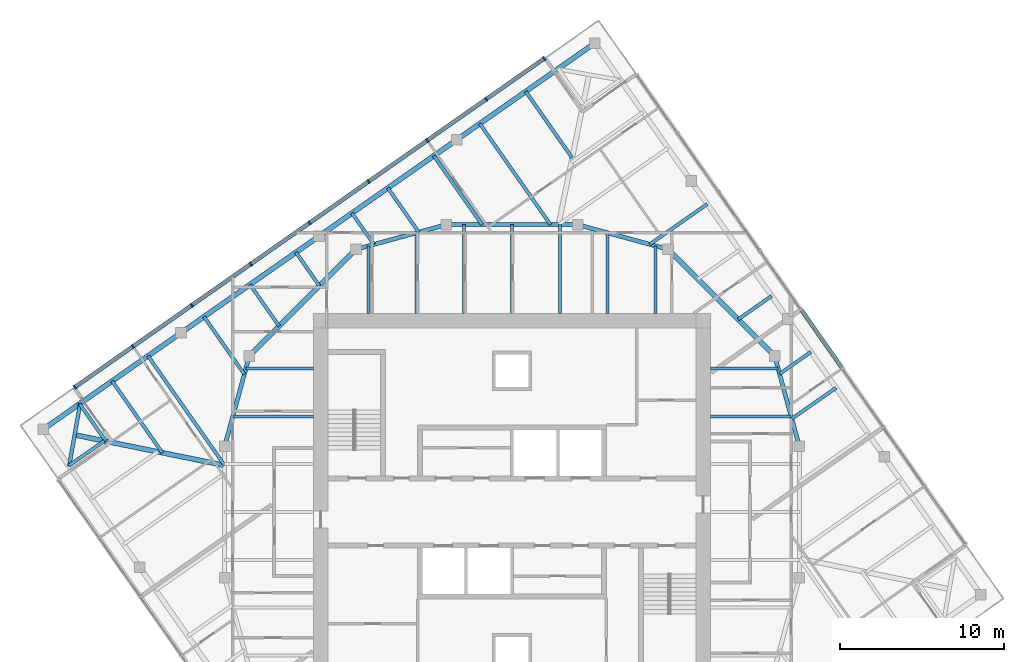
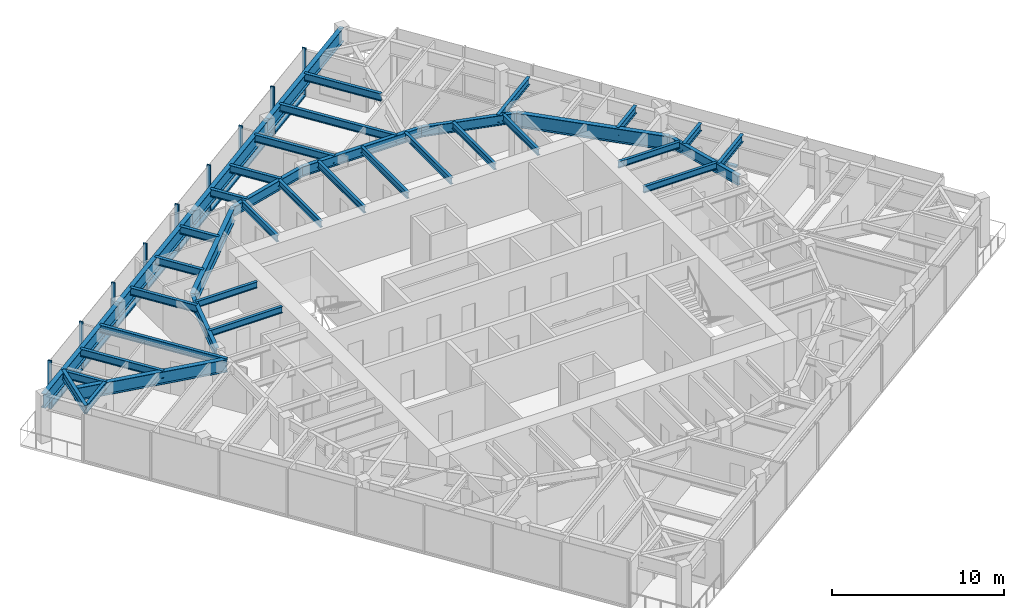
# One storey, part 4 of 12: 40 beams, 18 members, 2 elements without a shape of their own.
"""IFC4 building model written with IfcOpenShell, lengths in metres."""

from ifc_helpers import new_model, si_unit, direction, frame, origin, origin_2d, place, context, subcontext, project, spatial, rectangle, i_section, extrude, material, material_profile, profile_set, type_object, element, aggregate, save


model = new_model("IFC4")

# Units and contexts
model_context = context("Model", 3, precision=1e-05, world=origin(), true_north=direction((0.0, 1.0)))
body_context = subcontext(model_context, "Body", "Model", "MODEL_VIEW")
ifc_project = project(units=[si_unit("LENGTHUNIT", "METRE"), si_unit("AREAUNIT", "SQUARE_METRE"), si_unit("VOLUMEUNIT", "CUBIC_METRE"), si_unit("PLANEANGLEUNIT", "RADIAN"), si_unit("MASSUNIT", "GRAM", prefix="KILO")], contexts=[model_context])

# Site, building, storey
site_placement = place(None, origin())
site = spatial("IfcSite", under=ifc_project, at=site_placement, CompositionType="ELEMENT")
building_placement = place(site_placement, origin())
building = spatial("IfcBuilding", under=site, at=building_placement, Name="Torsade Residences", CompositionType="ELEMENT")
storey_placement = place(building_placement, frame((0.0, 0.0, 240.39990234375)))
storey = spatial("IfcBuildingStorey", under=building, at=storey_placement, Name="L66", CompositionType="ELEMENT", Elevation=240.39990234375)

# Beams
ifc_material_1 = material(Name="Steel grade 300", Category="steel")
ifc_material_profile_1 = material_profile(ifc_material_1, i_section(OverallWidth=0.300048828125, OverallDepth=0.89990234375, WebThickness=0.011962890625, FlangeThickness=0.02490234375, at=origin_2d()), Name="900WB175")
ifc_profile_set_1 = profile_set([ifc_material_profile_1], Name="Steel grade 300")
beam_type_1 = type_object("IfcBeamType", Name="CORNER GIRDER 900WB175", PredefinedType="BEAM", material=ifc_profile_set_1)
beam_1_placement = place(storey_placement, frame((13.364013671875, 34.696533203125, 2.800048828125), z_axis=(0.979880626756, -0.199584461589, 0.0), x_axis=(0.199584461589, 0.979880626756, 0.0)))
element("IfcBeam", 1, at=beam_1_placement, inside=storey, type_object=beam_type_1, Name="Corner girder 13 L67", PredefinedType="BEAM", context=body_context, shape_type="SweptSolid", body=[
    extrude(i_section(OverallWidth=0.300048828125, OverallDepth=0.89990234375, WebThickness=0.011962890625, FlangeThickness=0.02490234375, at=origin_2d()), origin(), (0.0, 0.0, 1.0), 9.323486328125),
])
ifc_material_2 = material(Name="Steel grade 300", Category="steel")
ifc_material_profile_2 = material_profile(ifc_material_2, i_section(OverallWidth=0.22802734375, OverallDepth=0.60205078125, WebThickness=0.010498046875, FlangeThickness=0.014892578125, FilletRadius=0.013916015625, at=origin_2d()), Name="610UB101")
ifc_profile_set_2 = profile_set([ifc_material_profile_2], Name="Steel grade 300")
beam_type_2 = type_object("IfcBeamType", Name="CORNER TRIMMER 610UB101", PredefinedType="BEAM", material=ifc_profile_set_2)
beam_2_placement = place(storey_placement, frame((13.0263671875, 32.78173828125, 2.94921875), z_axis=(0.173645660267, 0.984808196894, 0.0), x_axis=(-0.984808196894, 0.173645660267, 0.0)))
element("IfcBeam", 2, at=beam_2_placement, inside=storey, type_object=beam_type_2, Name="Corner trimmer 13 L67", PredefinedType="BEAM", context=body_context, shape_type="SweptSolid", body=[
    extrude(i_section(OverallWidth=0.22802734375, OverallDepth=0.60205078125, WebThickness=0.010498046875, FlangeThickness=0.014892578125, FilletRadius=0.013916015625, at=origin_2d()), origin(), (0.0, 0.0, 1.0), 3.888916015625),
])
ifc_material_3 = material(Name="Steel grade 300", Category="steel")
ifc_material_profile_3 = material_profile(ifc_material_3, i_section(OverallWidth=0.300048828125, OverallDepth=1.0, WebThickness=0.01611328125, FlangeThickness=0.028076171875, at=origin_2d()), Name="1000WB215")
ifc_profile_set_3 = profile_set([ifc_material_profile_3], Name="Steel grade 300")
beam_type_3 = type_object("IfcBeamType", Name="EDGE BEAM 1000WB215", PredefinedType="SPANDREL", material=ifc_profile_set_3)
for number, where, z_axis, x_axis, name in (
    (3, (45.0341796875, 58.551025390625, 2.75), (-0.819150225126, -0.573579034377, 0.0), (0.573579034377, -0.819150225126, 0.0), "Edge beam 09 L67"),
    (4, (36.637939453125, 52.671875, 2.75), (-0.819150225126, -0.573579034377, 0.0), (0.573579034377, -0.819150225126, 0.0), "Edge beam 10 L67"),
    (5, (28.24169921875, 46.792724609375, 2.75), (-0.819150225126, -0.573579034377, 0.0), (0.573579034377, -0.819150225126, 0.0), "Edge beam 11 L67"),
):
    element("IfcBeam", number, at=place(storey_placement, frame(where, z_axis=z_axis, x_axis=x_axis)), inside=storey, type_object=beam_type_3, Name=name, PredefinedType="SPANDREL", context=body_context, shape_type="SweptSolid", body=[
        extrude(i_section(OverallWidth=0.300048828125, OverallDepth=1.0, WebThickness=0.01611328125, FlangeThickness=0.028076171875, at=origin_2d()), origin(), (0.0, 0.0, 1.0), 10.25),
    ])
beam_3_placement = place(storey_placement, frame((19.845458984375, 40.91357421875, 2.75), z_axis=(-0.819146870247, -0.573583825578, 0.0), x_axis=(0.573583825578, -0.819146870247, 0.0)))
element("IfcBeam", 6, at=beam_3_placement, inside=storey, type_object=beam_type_3, Name="Edge beam 12 L67", PredefinedType="SPANDREL", context=body_context, shape_type="SweptSolid", body=[
    extrude(i_section(OverallWidth=0.300048828125, OverallDepth=1.0, WebThickness=0.01611328125, FlangeThickness=0.028076171875, at=origin_2d()), origin(), (0.0, 0.0, 1.0), 10.250244140625),
])

# Curtain wall, members
ifc_material_4 = material(Name="Aluminium and glass", Category="aluminium")
curtain_wall_type = type_object("IfcCurtainWallType", Name="FRITTED GLASS CURTAIN WALL HIGH ZONE", PredefinedType="NOTDEFINED", material=ifc_material_4)
curtain_wall_1_placement = place(storey_placement, origin())
curtain_wall_1 = element("IfcCurtainWall", 7, at=curtain_wall_1_placement, inside=storey, type_object=curtain_wall_type, Name="Curtain wall L66 face 7", PredefinedType="NOTDEFINED")
ifc_material_5 = material(Name="Aluminium mullion", Category="aluminium")
ifc_material_profile_4 = material_profile(ifc_material_5, rectangle(XDim=0.25, YDim=0.10009765625, at=origin_2d()), Name="HIGH ZONE CURTAIN WALL MULLION 250x100")
ifc_profile_set_4 = profile_set([ifc_material_profile_4], Name="Aluminium mullion")
member_type_1 = type_object("IfcMemberType", Name="HIGH ZONE CURTAIN WALL MULLION 250x100", PredefinedType="MULLION", material=ifc_profile_set_4)
member_1_placement = place(storey_placement, frame((41.96240234375, 57.62060546875, 0.0), z_axis=(0.0, 0.0, 1.0), x_axis=(0.573576457682, -0.819152029353, 0.0)))
member_1 = element("IfcMember", 8, at=member_1_placement, type_object=member_type_1, Name="Mullion 1", PredefinedType="MULLION", context=body_context, shape_type="SweptSolid", body=[
    extrude(rectangle(XDim=0.25, YDim=0.10009765625, at=origin_2d()), origin(), (0.0, 0.0, 1.0), 3.400146484375),
])
member_2_placement = place(storey_placement, frame((38.41943359375, 55.139892578125, 0.0), z_axis=(0.0, 0.0, 1.0), x_axis=(0.573576457682, -0.819152029353, 0.0)))
member_2 = element("IfcMember", 9, at=member_2_placement, type_object=member_type_1, Name="Mullion 2", PredefinedType="MULLION", context=body_context, shape_type="SweptSolid", body=[
    extrude(rectangle(XDim=0.25, YDim=0.10009765625, at=origin_2d()), origin(), (0.0, 0.0, 1.0), 3.400146484375),
])
member_3_placement = place(storey_placement, frame((34.835693359375, 52.630615234375, 0.0), z_axis=(0.0, 0.0, 1.0), x_axis=(0.573576457682, -0.819152029353, 0.0)))
member_3 = element("IfcMember", 10, at=member_3_placement, type_object=member_type_1, Name="Mullion 3", PredefinedType="MULLION", context=body_context, shape_type="SweptSolid", body=[
    extrude(rectangle(XDim=0.25, YDim=0.10009765625, at=origin_2d()), origin(), (0.0, 0.0, 1.0), 3.400146484375),
])
member_4_placement = place(storey_placement, frame((31.251953125, 50.12109375, 0.0), z_axis=(0.0, 0.0, 1.0), x_axis=(0.573576457682, -0.819152029353, 0.0)))
member_4 = element("IfcMember", 11, at=member_4_placement, type_object=member_type_1, Name="Mullion 4", PredefinedType="MULLION", context=body_context, shape_type="SweptSolid", body=[
    extrude(rectangle(XDim=0.25, YDim=0.10009765625, at=origin_2d()), origin(), (0.0, 0.0, 1.0), 3.400146484375),
])
member_5_placement = place(storey_placement, frame((27.668212890625, 47.61181640625, 0.0), z_axis=(0.0, 0.0, 1.0), x_axis=(0.573576457682, -0.819152029353, 0.0)))
member_5 = element("IfcMember", 12, at=member_5_placement, type_object=member_type_1, Name="Mullion 5", PredefinedType="MULLION", context=body_context, shape_type="SweptSolid", body=[
    extrude(rectangle(XDim=0.25, YDim=0.10009765625, at=origin_2d()), origin(), (0.0, 0.0, 1.0), 3.400146484375),
])
member_6_placement = place(storey_placement, frame((24.084228515625, 45.102294921875, 0.0), z_axis=(0.0, 0.0, 1.0), x_axis=(0.573576457682, -0.819152029353, 0.0)))
member_6 = element("IfcMember", 13, at=member_6_placement, type_object=member_type_1, Name="Mullion 6", PredefinedType="MULLION", context=body_context, shape_type="SweptSolid", body=[
    extrude(rectangle(XDim=0.25, YDim=0.10009765625, at=origin_2d()), origin(), (0.0, 0.0, 1.0), 3.400146484375),
])
member_7_placement = place(storey_placement, frame((20.50048828125, 42.593017578125, 0.0), z_axis=(0.0, 0.0, 1.0), x_axis=(0.573576457682, -0.819152029353, 0.0)))
member_7 = element("IfcMember", 14, at=member_7_placement, type_object=member_type_1, Name="Mullion 7", PredefinedType="MULLION", context=body_context, shape_type="SweptSolid", body=[
    extrude(rectangle(XDim=0.25, YDim=0.10009765625, at=origin_2d()), origin(), (0.0, 0.0, 1.0), 3.400146484375),
])
member_8_placement = place(storey_placement, frame((16.916748046875, 40.08349609375, 0.0), z_axis=(0.0, 0.0, 1.0), x_axis=(0.573576457682, -0.819152029353, 0.0)))
member_8 = element("IfcMember", 15, at=member_8_placement, type_object=member_type_1, Name="Mullion 8", PredefinedType="MULLION", context=body_context, shape_type="SweptSolid", body=[
    extrude(rectangle(XDim=0.25, YDim=0.10009765625, at=origin_2d()), origin(), (0.0, 0.0, 1.0), 3.400146484375),
])
member_9_placement = place(storey_placement, frame((13.3740234375, 37.602783203125, 0.0), z_axis=(0.0, 0.0, 1.0), x_axis=(0.573576457682, -0.819152029353, 0.0)))
member_9 = element("IfcMember", 16, at=member_9_placement, type_object=member_type_1, Name="Mullion 9", PredefinedType="MULLION", context=body_context, shape_type="SweptSolid", body=[
    extrude(rectangle(XDim=0.25, YDim=0.10009765625, at=origin_2d()), origin(), (0.0, 0.0, 1.0), 3.400146484375),
])

# Curtain wall, member
curtain_wall_2_placement = place(storey_placement, origin())
curtain_wall_2 = element("IfcCurtainWall", 17, at=curtain_wall_2_placement, inside=storey, type_object=curtain_wall_type, Name="Curtain wall L66 face 4", PredefinedType="NOTDEFINED")
ifc_material_6 = material(Name="Aluminium transom", Category="aluminium")
ifc_material_profile_5 = material_profile(ifc_material_6, rectangle(XDim=0.25, YDim=0.1201171875, at=origin_2d()), Name="HIGH ZONE CURTAIN WALL TRANSOM 250x120")
ifc_profile_set_5 = profile_set([ifc_material_profile_5], Name="Aluminium transom")
member_type_2 = type_object("IfcMemberType", Name="HIGH ZONE CURTAIN WALL TRANSOM 250x120", PredefinedType="USERDEFINED", material=ifc_profile_set_5)
member_10_placement = place(storey_placement, frame((60.092529296875, 38.7890625, 0.06005859375), z_axis=(-0.57358498433, 0.819146058863, 0.0), x_axis=(-0.819146058863, -0.57358498433, 0.0)))
member_10 = element("IfcMember", 18, at=member_10_placement, type_object=member_type_2, Name="Transom 4.1", ObjectType="TRANSOM", PredefinedType="USERDEFINED", context=body_context, shape_type="SweptSolid", body=[
    extrude(rectangle(XDim=0.25, YDim=0.1201171875, at=origin_2d()), origin(), (0.0, 0.0, 1.0), 4.275146484375),
])
aggregate(curtain_wall_2, [member_10])

# Member
member_11_placement = place(storey_placement, frame((41.92138671875, 57.592041015625, 0.06005859375), z_axis=(-0.819155901234, -0.573570928023, 0.0), x_axis=(0.573570928023, -0.819155901234, 0.0)))
member_11 = element("IfcMember", 19, at=member_11_placement, type_object=member_type_2, Name="Transom 1.1", ObjectType="TRANSOM", PredefinedType="USERDEFINED", context=body_context, shape_type="SweptSolid", body=[
    extrude(rectangle(XDim=0.25, YDim=0.1201171875, at=origin_2d()), origin(), (0.0, 0.0, 1.0), 4.22509765625),
])

member_12_placement = place(storey_placement, frame((38.37841796875, 55.111328125, 0.06005859375), z_axis=(-0.819127269283, -0.573611817101, 0.0), x_axis=(0.573611817101, -0.819127269283, 0.0)))
member_12 = element("IfcMember", 20, at=member_12_placement, type_object=member_type_2, Name="Transom 2.1", ObjectType="TRANSOM", PredefinedType="USERDEFINED", context=body_context, shape_type="SweptSolid", body=[
    extrude(rectangle(XDim=0.25, YDim=0.1201171875, at=origin_2d()), origin(), (0.0, 0.0, 1.0), 4.27490234375),
])

member_13_placement = place(storey_placement, frame((34.794677734375, 52.601806640625, 0.06005859375), z_axis=(-0.819154102984, -0.573573496219, 0.0), x_axis=(0.573573496219, -0.819154102984, 0.0)))
member_13 = element("IfcMember", 21, at=member_13_placement, type_object=member_type_2, Name="Transom 3.1", ObjectType="TRANSOM", PredefinedType="USERDEFINED", context=body_context, shape_type="SweptSolid", body=[
    extrude(rectangle(XDim=0.25, YDim=0.1201171875, at=origin_2d()), origin(), (0.0, 0.0, 1.0), 4.27490234375),
])

member_14_placement = place(storey_placement, frame((31.2109375, 50.092529296875, 0.06005859375), z_axis=(-0.819146058863, -0.57358498433, 0.0), x_axis=(0.57358498433, -0.819146058863, 0.0)))
member_14 = element("IfcMember", 22, at=member_14_placement, type_object=member_type_2, Name="Transom 4.1", ObjectType="TRANSOM", PredefinedType="USERDEFINED", context=body_context, shape_type="SweptSolid", body=[
    extrude(rectangle(XDim=0.25, YDim=0.1201171875, at=origin_2d()), origin(), (0.0, 0.0, 1.0), 4.275146484375),
])

member_15_placement = place(storey_placement, frame((27.627197265625, 47.5830078125, 0.06005859375), z_axis=(-0.81917289067, -0.573546663483, 0.0), x_axis=(0.573546663483, -0.81917289067, 0.0)))
member_15 = element("IfcMember", 23, at=member_15_placement, type_object=member_type_2, Name="Transom 5.1", ObjectType="TRANSOM", PredefinedType="USERDEFINED", context=body_context, shape_type="SweptSolid", body=[
    extrude(rectangle(XDim=0.25, YDim=0.1201171875, at=origin_2d()), origin(), (0.0, 0.0, 1.0), 4.27490234375),
])

member_16_placement = place(storey_placement, frame((24.04345703125, 45.07373046875, 0.06005859375), z_axis=(-0.819146058863, -0.57358498433, 0.0), x_axis=(0.57358498433, -0.819146058863, 0.0)))
member_16 = element("IfcMember", 24, at=member_16_placement, type_object=member_type_2, Name="Transom 6.1", ObjectType="TRANSOM", PredefinedType="USERDEFINED", context=body_context, shape_type="SweptSolid", body=[
    extrude(rectangle(XDim=0.25, YDim=0.1201171875, at=origin_2d()), origin(), (0.0, 0.0, 1.0), 4.275146484375),
])

member_17_placement = place(storey_placement, frame((20.45947265625, 42.564208984375, 0.06005859375), z_axis=(-0.819154102984, -0.573573496219, 0.0), x_axis=(0.573573496219, -0.819154102984, 0.0)))
member_17 = element("IfcMember", 25, at=member_17_placement, type_object=member_type_2, Name="Transom 7.1", ObjectType="TRANSOM", PredefinedType="USERDEFINED", context=body_context, shape_type="SweptSolid", body=[
    extrude(rectangle(XDim=0.25, YDim=0.1201171875, at=origin_2d()), origin(), (0.0, 0.0, 1.0), 4.27490234375),
])

member_18_placement = place(storey_placement, frame((16.875732421875, 40.054931640625, 0.06005859375), z_axis=(-0.819155901234, -0.573570928023, 0.0), x_axis=(0.573570928023, -0.819155901234, 0.0)))
member_18 = element("IfcMember", 26, at=member_18_placement, type_object=member_type_2, Name="Transom 8.1", ObjectType="TRANSOM", PredefinedType="USERDEFINED", context=body_context, shape_type="SweptSolid", body=[
    extrude(rectangle(XDim=0.25, YDim=0.1201171875, at=origin_2d()), origin(), (0.0, 0.0, 1.0), 4.22509765625),
])

aggregate(curtain_wall_1, [member_1, member_2, member_3, member_4, member_5, member_6, member_7, member_8, member_9, member_11, member_12, member_13, member_14, member_15, member_16, member_17, member_18])

# Beams
ifc_material_7 = material(Name="Steel grade 300", Category="steel")
ifc_material_profile_6 = material_profile(ifc_material_7, i_section(OverallWidth=0.18994140625, OverallDepth=0.4541015625, WebThickness=0.008544921875, FlangeThickness=0.0126953125, FilletRadius=0.011474609375, at=origin_2d()), Name="460UB67.1")
ifc_profile_set_6 = profile_set([ifc_material_profile_6], Name="Steel grade 300")
beam_type_4 = type_object("IfcBeamType", Name="INNER FLOOR BEAM 460UB67.1", PredefinedType="JOIST", material=ifc_profile_set_6)
beam_4_placement = place(storey_placement, frame((31.262451171875, 42.10009765625, 3.023193359375), z_axis=(0.0, 1.0, 0.0), x_axis=(-1.0, 0.0, 0.0)))
element("IfcBeam", 27, at=beam_4_placement, inside=storey, type_object=beam_type_4, Name="Inner floor beam IN01 L67", PredefinedType="JOIST", context=body_context, shape_type="SweptSolid", body=[
    extrude(i_section(OverallWidth=0.18994140625, OverallDepth=0.4541015625, WebThickness=0.008544921875, FlangeThickness=0.0126953125, FilletRadius=0.011474609375, at=origin_2d()), origin(), (0.0, 0.0, 1.0), 4.10791015625),
])
beam_5_placement = place(storey_placement, frame((34.175048828125, 42.10009765625, 3.023193359375), z_axis=(0.0, 1.0, 0.0), x_axis=(-1.0, 0.0, 0.0)))
element("IfcBeam", 28, at=beam_5_placement, inside=storey, type_object=beam_type_4, Name="Inner floor beam IN02 L67", PredefinedType="JOIST", context=body_context, shape_type="SweptSolid", body=[
    extrude(i_section(OverallWidth=0.18994140625, OverallDepth=0.4541015625, WebThickness=0.008544921875, FlangeThickness=0.0126953125, FilletRadius=0.011474609375, at=origin_2d()), origin(), (0.0, 0.0, 1.0), 4.902099609375),
])
for number, where, z_axis, x_axis, name in (
    (29, (37.08740234375, 42.10009765625, 3.023193359375), (0.0, 1.0, 0.0), (-1.0, 0.0, 0.0), "Inner floor beam IN03 L67"),
    (30, (40.0, 42.10009765625, 3.023193359375), (0.0, 1.0, 0.0), (-1.0, 0.0, 0.0), "Inner floor beam IN04 L67"),
    (31, (42.91259765625, 42.10009765625, 3.023193359375), (0.0, 1.0, 0.0), (-1.0, 0.0, 0.0), "Inner floor beam IN05 L67"),
):
    element("IfcBeam", number, at=place(storey_placement, frame(where, z_axis=z_axis, x_axis=x_axis)), inside=storey, type_object=beam_type_4, Name=name, PredefinedType="JOIST", context=body_context, shape_type="SweptSolid", body=[
        extrude(i_section(OverallWidth=0.18994140625, OverallDepth=0.4541015625, WebThickness=0.008544921875, FlangeThickness=0.0126953125, FilletRadius=0.011474609375, at=origin_2d()), origin(), (0.0, 0.0, 1.0), 5.39990234375),
    ])
beam_6_placement = place(storey_placement, frame((45.824951171875, 42.10009765625, 3.023193359375), z_axis=(0.0, 1.0, 0.0), x_axis=(-1.0, 0.0, 0.0)))
element("IfcBeam", 32, at=beam_6_placement, inside=storey, type_object=beam_type_4, Name="Inner floor beam IN06 L67", PredefinedType="JOIST", context=body_context, shape_type="SweptSolid", body=[
    extrude(i_section(OverallWidth=0.18994140625, OverallDepth=0.4541015625, WebThickness=0.008544921875, FlangeThickness=0.0126953125, FilletRadius=0.011474609375, at=origin_2d()), origin(), (0.0, 0.0, 1.0), 4.902099609375),
])
beam_7_placement = place(storey_placement, frame((48.737548828125, 42.10009765625, 3.023193359375), z_axis=(0.0, 1.0, 0.0), x_axis=(-1.0, 0.0, 0.0)))
element("IfcBeam", 33, at=beam_7_placement, inside=storey, type_object=beam_type_4, Name="Inner floor beam IN07 L67", PredefinedType="JOIST", context=body_context, shape_type="SweptSolid", body=[
    extrude(i_section(OverallWidth=0.18994140625, OverallDepth=0.4541015625, WebThickness=0.008544921875, FlangeThickness=0.0126953125, FilletRadius=0.011474609375, at=origin_2d()), origin(), (0.0, 0.0, 1.0), 4.10791015625),
])
beam_8_placement = place(storey_placement, frame((52.10009765625, 35.824951171875, 3.023193359375), z_axis=(1.0, 0.0, 0.0), x_axis=(0.0, 1.0, 0.0)))
element("IfcBeam", 34, at=beam_8_placement, inside=storey, type_object=beam_type_4, Name="Inner floor beam IE06 L67", PredefinedType="JOIST", context=body_context, shape_type="SweptSolid", body=[
    extrude(i_section(OverallWidth=0.18994140625, OverallDepth=0.4541015625, WebThickness=0.008544921875, FlangeThickness=0.0126953125, FilletRadius=0.011474609375, at=origin_2d()), origin(), (0.0, 0.0, 1.0), 4.902099609375),
])
for number, where, z_axis, x_axis, name in (
    (35, (52.10009765625, 38.737548828125, 3.023193359375), (1.0, 0.0, 0.0), (0.0, 1.0, 0.0), "Inner floor beam IE07 L67"),
    (36, (27.89990234375, 38.737548828125, 3.023193359375), (-1.0, 0.0, 0.0), (0.0, -1.0, 0.0), "Inner floor beam IW01 L67"),
):
    element("IfcBeam", number, at=place(storey_placement, frame(where, z_axis=z_axis, x_axis=x_axis)), inside=storey, type_object=beam_type_4, Name=name, PredefinedType="JOIST", context=body_context, shape_type="SweptSolid", body=[
        extrude(i_section(OverallWidth=0.18994140625, OverallDepth=0.4541015625, WebThickness=0.008544921875, FlangeThickness=0.0126953125, FilletRadius=0.011474609375, at=origin_2d()), origin(), (0.0, 0.0, 1.0), 4.10791015625),
    ])
beam_9_placement = place(storey_placement, frame((27.89990234375, 35.824951171875, 3.023193359375), z_axis=(-1.0, 0.0, 0.0), x_axis=(0.0, -1.0, 0.0)))
element("IfcBeam", 37, at=beam_9_placement, inside=storey, type_object=beam_type_4, Name="Inner floor beam IW02 L67", PredefinedType="JOIST", context=body_context, shape_type="SweptSolid", body=[
    extrude(i_section(OverallWidth=0.18994140625, OverallDepth=0.4541015625, WebThickness=0.008544921875, FlangeThickness=0.0126953125, FilletRadius=0.011474609375, at=origin_2d()), origin(), (0.0, 0.0, 1.0), 4.902099609375),
])
ifc_material_8 = material(Name="Steel grade 300", Category="steel")
ifc_material_profile_7 = material_profile(ifc_material_8, i_section(OverallWidth=0.300048828125, OverallDepth=1.0, WebThickness=0.01611328125, FlangeThickness=0.028076171875, at=origin_2d()), Name="1000WB215")
ifc_profile_set_7 = profile_set([ifc_material_profile_7], Name="Steel grade 300")
beam_type_5 = type_object("IfcBeamType", Name="RING CORNER GIRDER 1000WB215", PredefinedType="BEAM", material=ifc_profile_set_7)
for number, where, z_axis, x_axis, name in (
    (38, (56.0, 39.5, 2.75), (-0.707106781187, 0.707106781187, 0.0), (-0.707106781187, -0.707106781187, 0.0), "Ring girder IR03 L67"),
    (39, (30.5, 46.0, 2.75), (-0.707106781187, -0.707106781187, 0.0), (0.707106781187, -0.707106781187, 0.0), "Ring girder IR07 L67"),
):
    element("IfcBeam", number, at=place(storey_placement, frame(where, z_axis=z_axis, x_axis=x_axis)), inside=storey, type_object=beam_type_5, Name=name, PredefinedType="BEAM", context=body_context, shape_type="SweptSolid", body=[
        extrude(i_section(OverallWidth=0.300048828125, OverallDepth=1.0, WebThickness=0.01611328125, FlangeThickness=0.028076171875, at=origin_2d()), origin(), (0.0, 0.0, 1.0), 9.1923828125),
    ])
ifc_material_9 = material(Name="Steel grade 300", Category="steel")
ifc_material_profile_8 = material_profile(ifc_material_9, i_section(OverallWidth=0.25, OverallDepth=0.699951171875, WebThickness=0.010009765625, FlangeThickness=0.02001953125, at=origin_2d()), Name="700WB130")
ifc_profile_set_8 = profile_set([ifc_material_profile_8], Name="Steel grade 300")
beam_type_6 = type_object("IfcBeamType", Name="RING GIRDER 700WB130", PredefinedType="BEAM", material=ifc_profile_set_8)
for number, where, z_axis, x_axis, name in (
    (40, (57.5, 34.0, 2.900146484375), (-0.263117405792, 0.964763821238, 0.0), (-0.964763821238, -0.263117405792, 0.0), "Ring girder IR02 L67"),
    (41, (49.5, 46.0, 2.900146484375), (-0.964763821238, 0.263117405792, 0.0), (-0.263117405792, -0.964763821238, 0.0), "Ring girder IR04 L67"),
):
    element("IfcBeam", number, at=place(storey_placement, frame(where, z_axis=z_axis, x_axis=x_axis)), inside=storey, type_object=beam_type_6, Name=name, PredefinedType="BEAM", context=body_context, shape_type="SweptSolid", body=[
        extrude(i_section(OverallWidth=0.25, OverallDepth=0.699951171875, WebThickness=0.010009765625, FlangeThickness=0.02001953125, at=origin_2d()), origin(), (0.0, 0.0, 1.0), 5.700927734375),
    ])
beam_10_placement = place(storey_placement, frame((44.0, 47.5, 2.900146484375), z_axis=(-1.0, 0.0, 0.0), x_axis=(0.0, -1.0, 0.0)))
element("IfcBeam", 42, at=beam_10_placement, inside=storey, type_object=beam_type_6, Name="Ring girder IR05 L67", PredefinedType="BEAM", context=body_context, shape_type="SweptSolid", body=[
    extrude(i_section(OverallWidth=0.25, OverallDepth=0.699951171875, WebThickness=0.010009765625, FlangeThickness=0.02001953125, at=origin_2d()), origin(), (0.0, 0.0, 1.0), 8.0),
])
for number, where, z_axis, x_axis, name in (
    (43, (36.0, 47.5, 2.900146484375), (-0.964763821238, -0.263117405792, 0.0), (0.263117405792, -0.964763821238, 0.0), "Ring girder IR06 L67"),
    (44, (24.0, 39.5, 2.900146484375), (-0.263117405792, -0.964763821238, 0.0), (0.964763821238, -0.263117405792, 0.0), "Ring girder IR08 L67"),
):
    element("IfcBeam", number, at=place(storey_placement, frame(where, z_axis=z_axis, x_axis=x_axis)), inside=storey, type_object=beam_type_6, Name=name, PredefinedType="BEAM", context=body_context, shape_type="SweptSolid", body=[
        extrude(i_section(OverallWidth=0.25, OverallDepth=0.699951171875, WebThickness=0.010009765625, FlangeThickness=0.02001953125, at=origin_2d()), origin(), (0.0, 0.0, 1.0), 5.700927734375),
    ])
ifc_material_10 = material(Name="Steel grade 300", Category="steel")
ifc_material_profile_9 = material_profile(ifc_material_10, i_section(OverallWidth=0.208984375, OverallDepth=0.532958984375, WebThickness=0.01025390625, FlangeThickness=0.015625, FilletRadius=0.013916015625, at=origin_2d()), Name="530UB92.4")
ifc_profile_set_9 = profile_set([ifc_material_profile_9], Name="Steel grade 300")
beam_type_7 = type_object("IfcBeamType", Name="SECONDARY BEAM 530UB92.4", PredefinedType="JOIST", material=ifc_profile_set_9)
beam_11_placement = place(storey_placement, frame((59.732177734375, 37.56005859375, 2.983642578125), z_axis=(-0.819169032504, -0.573552173902, 0.0), x_axis=(0.573552173902, -0.819169032504, 0.0)))
element("IfcBeam", 45, at=beam_11_placement, inside=storey, type_object=beam_type_7, Name="Floor beam FE05 L67", PredefinedType="JOIST", context=body_context, shape_type="SweptSolid", body=[
    extrude(i_section(OverallWidth=0.208984375, OverallDepth=0.532958984375, WebThickness=0.01025390625, FlangeThickness=0.015625, FilletRadius=0.013916015625, at=origin_2d()), origin(), (0.0, 0.0, 1.0), 3.283203125),
])
beam_12_placement = place(storey_placement, frame((58.20263671875, 39.74462890625, 2.983642578125), z_axis=(-0.819157953557, -0.573567996949, 0.0), x_axis=(0.573567996949, -0.819157953557, 0.0)))
element("IfcBeam", 46, at=beam_12_placement, inside=storey, type_object=beam_type_7, Name="Floor beam FE06 L67", PredefinedType="JOIST", context=body_context, shape_type="SweptSolid", body=[
    extrude(i_section(OverallWidth=0.208984375, OverallDepth=0.532958984375, WebThickness=0.01025390625, FlangeThickness=0.015625, FilletRadius=0.013916015625, at=origin_2d()), origin(), (0.0, 0.0, 1.0), 2.326171875),
])
beam_13_placement = place(storey_placement, frame((55.812744140625, 43.15771484375, 2.983642578125), z_axis=(-0.819172078752, -0.573547823109, 0.0), x_axis=(0.573547823109, -0.819172078752, 0.0)))
element("IfcBeam", 47, at=beam_13_placement, inside=storey, type_object=beam_type_7, Name="Floor beam FE07 L67", PredefinedType="JOIST", context=body_context, shape_type="SweptSolid", body=[
    extrude(i_section(OverallWidth=0.208984375, OverallDepth=0.532958984375, WebThickness=0.01025390625, FlangeThickness=0.015625, FilletRadius=0.013916015625, at=origin_2d()), origin(), (0.0, 0.0, 1.0), 2.491943359375),
])
beam_14_placement = place(storey_placement, frame((51.893310546875, 48.755126953125, 2.983642578125), z_axis=(-0.819148759439, -0.573581127575, 0.0), x_axis=(0.573581127575, -0.819148759439, 0.0)))
element("IfcBeam", 48, at=beam_14_placement, inside=storey, type_object=beam_type_7, Name="Floor beam FE09 L67", PredefinedType="JOIST", context=body_context, shape_type="SweptSolid", body=[
    extrude(i_section(OverallWidth=0.208984375, OverallDepth=0.532958984375, WebThickness=0.01025390625, FlangeThickness=0.015625, FilletRadius=0.013916015625, at=origin_2d()), origin(), (0.0, 0.0, 1.0), 4.276123046875),
])
beam_15_placement = place(storey_placement, frame((40.836181640625, 55.611328125, 2.983642578125), z_axis=(0.573575295634, -0.819152843027, 0.0), x_axis=(0.819152843027, 0.573575295634, 0.0)))
element("IfcBeam", 49, at=beam_15_placement, inside=storey, type_object=beam_type_7, Name="Floor beam FN02 L67", PredefinedType="JOIST", context=body_context, shape_type="SweptSolid", body=[
    extrude(i_section(OverallWidth=0.208984375, OverallDepth=0.532958984375, WebThickness=0.01025390625, FlangeThickness=0.015625, FilletRadius=0.013916015625, at=origin_2d()), origin(), (0.0, 0.0, 1.0), 4.931884765625),
])
beam_16_placement = place(storey_placement, frame((38.037353515625, 53.651611328125, 2.983642578125), z_axis=(0.573573614851, -0.819154019917, 0.0), x_axis=(0.819154019917, 0.573573614851, 0.0)))
element("IfcBeam", 50, at=beam_16_placement, inside=storey, type_object=beam_type_7, Name="Floor beam FN03 L67", PredefinedType="JOIST", context=body_context, shape_type="SweptSolid", body=[
    extrude(i_section(OverallWidth=0.208984375, OverallDepth=0.532958984375, WebThickness=0.01025390625, FlangeThickness=0.015625, FilletRadius=0.013916015625, at=origin_2d()), origin(), (0.0, 0.0, 1.0), 7.509765625),
])
beam_17_placement = place(storey_placement, frame((35.238525390625, 51.69189453125, 2.983642578125), z_axis=(0.573590411882, -0.819142258339, 0.0), x_axis=(0.819142258339, 0.573590411882, 0.0)))
element("IfcBeam", 51, at=beam_17_placement, inside=storey, type_object=beam_type_7, Name="Floor beam FN04 L67", PredefinedType="JOIST", context=body_context, shape_type="SweptSolid", body=[
    extrude(i_section(OverallWidth=0.208984375, OverallDepth=0.532958984375, WebThickness=0.01025390625, FlangeThickness=0.015625, FilletRadius=0.013916015625, at=origin_2d()), origin(), (0.0, 0.0, 1.0), 5.117431640625),
])
beam_18_placement = place(storey_placement, frame((32.43994140625, 49.732177734375, 2.983642578125), z_axis=(0.573552173902, -0.819169032504, 0.0), x_axis=(0.819169032504, 0.573552173902, 0.0)))
element("IfcBeam", 52, at=beam_18_placement, inside=storey, type_object=beam_type_7, Name="Floor beam FN05 L67", PredefinedType="JOIST", context=body_context, shape_type="SweptSolid", body=[
    extrude(i_section(OverallWidth=0.208984375, OverallDepth=0.532958984375, WebThickness=0.01025390625, FlangeThickness=0.015625, FilletRadius=0.013916015625, at=origin_2d()), origin(), (0.0, 0.0, 1.0), 3.283203125),
])
beam_19_placement = place(storey_placement, frame((30.25537109375, 48.20263671875, 2.983642578125), z_axis=(0.573567996949, -0.819157953557, 0.0), x_axis=(0.819157953557, 0.573567996949, 0.0)))
element("IfcBeam", 53, at=beam_19_placement, inside=storey, type_object=beam_type_7, Name="Floor beam FN06 L67", PredefinedType="JOIST", context=body_context, shape_type="SweptSolid", body=[
    extrude(i_section(OverallWidth=0.208984375, OverallDepth=0.532958984375, WebThickness=0.01025390625, FlangeThickness=0.015625, FilletRadius=0.013916015625, at=origin_2d()), origin(), (0.0, 0.0, 1.0), 2.326171875),
])
beam_20_placement = place(storey_placement, frame((26.84228515625, 45.812744140625, 2.983642578125), z_axis=(0.573547823109, -0.819172078752, 0.0), x_axis=(0.819172078752, 0.573547823109, 0.0)))
element("IfcBeam", 54, at=beam_20_placement, inside=storey, type_object=beam_type_7, Name="Floor beam FN07 L67", PredefinedType="JOIST", context=body_context, shape_type="SweptSolid", body=[
    extrude(i_section(OverallWidth=0.208984375, OverallDepth=0.532958984375, WebThickness=0.01025390625, FlangeThickness=0.015625, FilletRadius=0.013916015625, at=origin_2d()), origin(), (0.0, 0.0, 1.0), 2.491943359375),
])
beam_21_placement = place(storey_placement, frame((24.04345703125, 43.85302734375, 2.983642578125), z_axis=(0.573600013401, -0.819135534955, 0.0), x_axis=(0.819135534955, 0.573600013401, 0.0)))
element("IfcBeam", 55, at=beam_21_placement, inside=storey, type_object=beam_type_7, Name="Floor beam FN08 L67", PredefinedType="JOIST", context=body_context, shape_type="SweptSolid", body=[
    extrude(i_section(OverallWidth=0.208984375, OverallDepth=0.532958984375, WebThickness=0.01025390625, FlangeThickness=0.015625, FilletRadius=0.013916015625, at=origin_2d()), origin(), (0.0, 0.0, 1.0), 3.09423828125),
])
beam_22_placement = place(storey_placement, frame((21.244873046875, 41.893310546875, 2.983642578125), z_axis=(0.573581127575, -0.819148759439, 0.0), x_axis=(0.819148759439, 0.573581127575, 0.0)))
element("IfcBeam", 56, at=beam_22_placement, inside=storey, type_object=beam_type_7, Name="Floor beam FN09 L67", PredefinedType="JOIST", context=body_context, shape_type="SweptSolid", body=[
    extrude(i_section(OverallWidth=0.208984375, OverallDepth=0.532958984375, WebThickness=0.01025390625, FlangeThickness=0.015625, FilletRadius=0.013916015625, at=origin_2d()), origin(), (0.0, 0.0, 1.0), 4.276123046875),
])
beam_23_placement = place(storey_placement, frame((17.83154296875, 39.50341796875, 2.983642578125), z_axis=(0.573577087251, -0.819151588523, 0.0), x_axis=(0.819151588523, 0.573577087251, 0.0)))
element("IfcBeam", 57, at=beam_23_placement, inside=storey, type_object=beam_type_7, Name="Floor beam FN10 L67", PredefinedType="JOIST", context=body_context, shape_type="SweptSolid", body=[
    extrude(i_section(OverallWidth=0.208984375, OverallDepth=0.532958984375, WebThickness=0.01025390625, FlangeThickness=0.015625, FilletRadius=0.013916015625, at=origin_2d()), origin(), (0.0, 0.0, 1.0), 8.13916015625),
])
beam_24_placement = place(storey_placement, frame((15.647216796875, 37.973876953125, 2.983642578125), z_axis=(0.573597638513, -0.819137197966, 0.0), x_axis=(0.819137197966, 0.573597638513, 0.0)))
element("IfcBeam", 58, at=beam_24_placement, inside=storey, type_object=beam_type_7, Name="Floor beam FN11 L67", PredefinedType="JOIST", context=body_context, shape_type="SweptSolid", body=[
    extrude(i_section(OverallWidth=0.208984375, OverallDepth=0.532958984375, WebThickness=0.01025390625, FlangeThickness=0.015625, FilletRadius=0.013916015625, at=origin_2d()), origin(), (0.0, 0.0, 1.0), 5.328369140625),
])
beam_25_placement = place(storey_placement, frame((13.667724609375, 36.587646484375, 2.983642578125), z_axis=(0.573521270253, -0.819190669238, 0.0), x_axis=(0.819190669238, 0.573521270253, 0.0)))
element("IfcBeam", 59, at=beam_25_placement, inside=storey, type_object=beam_type_7, Name="Floor beam FN12 L67", PredefinedType="JOIST", context=body_context, shape_type="SweptSolid", body=[
    extrude(i_section(OverallWidth=0.208984375, OverallDepth=0.532958984375, WebThickness=0.01025390625, FlangeThickness=0.015625, FilletRadius=0.013916015625, at=origin_2d()), origin(), (0.0, 0.0, 1.0), 2.780517578125),
])
beam_26_placement = place(storey_placement, frame((13.00244140625, 32.815673828125, 2.983642578125), z_axis=(0.819140666445, 0.573592685254, 0.0), x_axis=(-0.573592685254, 0.819140666445, 0.0)))
element("IfcBeam", 60, at=beam_26_placement, inside=storey, type_object=beam_type_7, Name="Floor beam FW01 L67", PredefinedType="JOIST", context=body_context, shape_type="SweptSolid", body=[
    extrude(i_section(OverallWidth=0.208984375, OverallDepth=0.532958984375, WebThickness=0.01025390625, FlangeThickness=0.015625, FilletRadius=0.013916015625, at=origin_2d()), origin(), (0.0, 0.0, 1.0), 2.639892578125),
])

save(model, "model.ifc")
